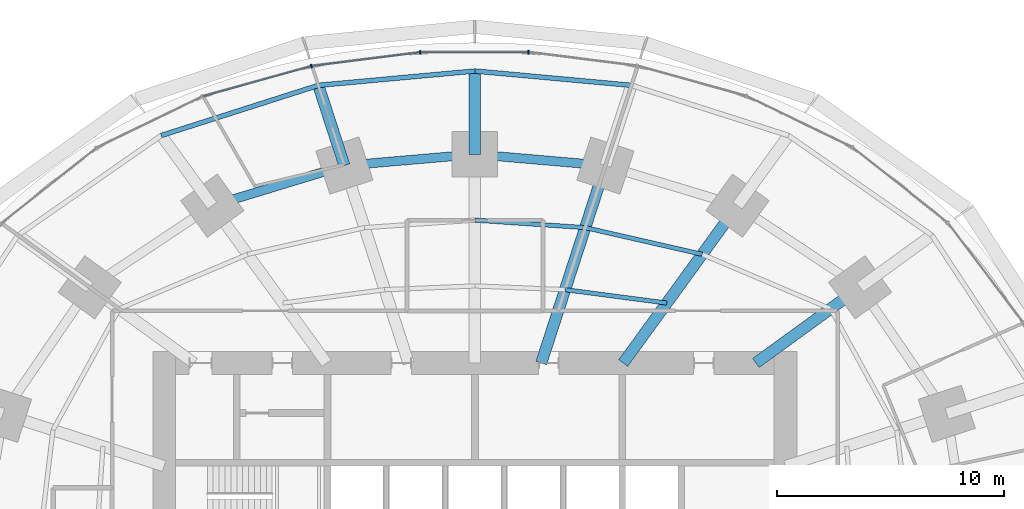
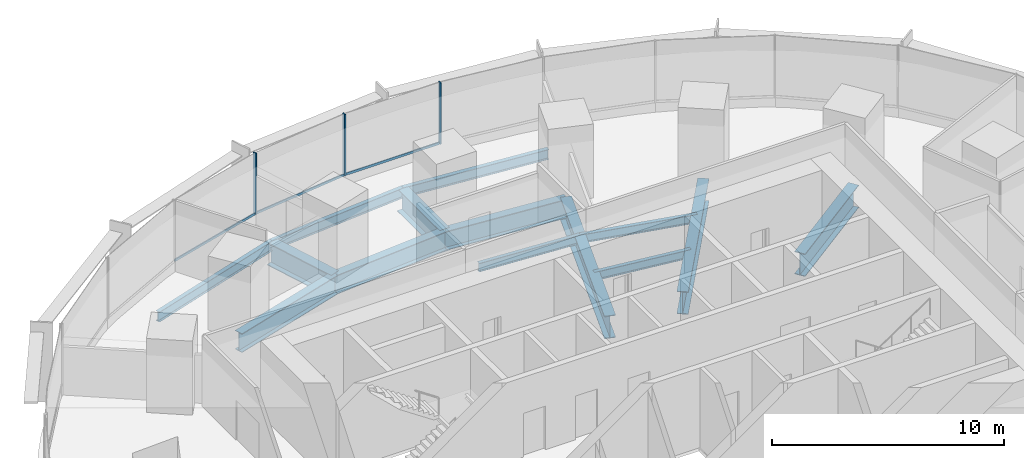
# One storey, part 8 of 15: 14 beams, 6 members, 1 element without a shape of its own.
"""IFC4 building model written with IfcOpenShell, lengths in metres."""

from ifc_helpers import new_model, si_unit, direction, frame, origin, origin_2d, place, context, subcontext, project, spatial, rectangle, i_section, extrude, material, material_profile, profile_set, type_object, element, aggregate, save


model = new_model("IFC4")

# Units and contexts
model_context = context("Model", 3, precision=1e-05, world=origin(), true_north=direction((0.0, 1.0)))
body_context = subcontext(model_context, "Body", "Model", "MODEL_VIEW")
ifc_project = project(units=[si_unit("LENGTHUNIT", "METRE"), si_unit("AREAUNIT", "SQUARE_METRE"), si_unit("VOLUMEUNIT", "CUBIC_METRE"), si_unit("PLANEANGLEUNIT", "RADIAN"), si_unit("MASSUNIT", "GRAM", prefix="KILO")], contexts=[model_context])

# Site, building, storey
site_placement = place(None, origin())
site = spatial("IfcSite", under=ifc_project, at=site_placement, CompositionType="ELEMENT")
building_placement = place(site_placement, origin())
building = spatial("IfcBuilding", under=site, at=building_placement, Name="Marramba Exchange Tower", CompositionType="ELEMENT")
storey_placement = place(building_placement, frame((0.0, 0.0, 65.800048828125)))
storey = spatial("IfcBuildingStorey", under=building, at=storey_placement, Name="L15", CompositionType="ELEMENT", Elevation=65.800048828125)

# Beams
ifc_material_1 = material(Name="Steel AS/NZS 3679.2 grade 300", Category="steel")
ifc_material_profile_1 = material_profile(ifc_material_1, i_section(OverallWidth=0.5, OverallDepth=1.199951171875, WebThickness=0.01611328125, FlangeThickness=0.0400390625, at=origin_2d()), Name="1200WB455")
ifc_profile_set_1 = profile_set([ifc_material_profile_1], Name="Steel AS/NZS 3679.2 grade 300")
beam_type_1 = type_object("IfcBeamType", Name="Cantilever girder 1200WB455", PredefinedType="BEAM", material=ifc_profile_set_1)
beam_1_placement = place(storey_placement, frame((0.0, 18.2041015625, -0.760009765625), z_axis=(0.0, 1.0, 0.0), x_axis=(-1.0, 0.0, 0.0)))
element("IfcBeam", 1, at=beam_1_placement, inside=storey, type_object=beam_type_1, Name="Cantilever girder L15 TC06", PredefinedType="BEAM", context=body_context, shape_type="SweptSolid", body=[
    extrude(i_section(OverallWidth=0.5, OverallDepth=1.199951171875, WebThickness=0.01611328125, FlangeThickness=0.0400390625, at=origin_2d()), origin(), (0.0, 0.0, 1.0), 3.673828125),
])
beam_2_placement = place(storey_placement, frame((-5.75390625, 17.70849609375, -0.760009765625), z_axis=(-0.308973290646, 0.951070715387, 0.0), x_axis=(-0.951070715387, -0.308973290646, 0.0)))
element("IfcBeam", 2, at=beam_2_placement, inside=storey, type_object=beam_type_1, Name="Cantilever girder L15 TC07", PredefinedType="BEAM", context=body_context, shape_type="SweptSolid", body=[
    extrude(i_section(OverallWidth=0.5, OverallDepth=1.199951171875, WebThickness=0.01611328125, FlangeThickness=0.0400390625, at=origin_2d()), origin(), (0.0, 0.0, 1.0), 3.72021484375),
])
ifc_material_2 = material(Name="Steel AS/NZS 3679.1 grade 300", Category="steel")
ifc_material_profile_2 = material_profile(ifc_material_2, i_section(OverallWidth=0.18994140625, OverallDepth=0.4541015625, WebThickness=0.008544921875, FlangeThickness=0.0126953125, FilletRadius=0.011474609375, at=origin_2d()), Name="460UB67.1")
ifc_profile_set_2 = profile_set([ifc_material_profile_2], Name="Steel AS/NZS 3679.1 grade 300")
beam_type_2 = type_object("IfcBeamType", Name="Floor joist 460UB67.1", PredefinedType="JOIST", material=ifc_profile_set_2)
beam_3_placement = place(storey_placement, frame((8.4619140625, 11.646728515625, -0.386962890625), z_axis=(-0.991480538255, 0.130254912618, 0.0), x_axis=(-0.130254912618, -0.991480538255, 0.0)))
element("IfcBeam", 3, at=beam_3_placement, inside=storey, type_object=beam_type_2, Name="Joist L15 bay 04 row 1", PredefinedType="JOIST", context=body_context, shape_type="SweptSolid", body=[
    extrude(i_section(OverallWidth=0.18994140625, OverallDepth=0.4541015625, WebThickness=0.008544921875, FlangeThickness=0.0126953125, FilletRadius=0.011474609375, at=origin_2d()), origin(), (0.0, 0.0, 1.0), 4.524658203125),
])
beam_4_placement = place(storey_placement, frame((10.021728515625, 13.793701171875, -0.386962890625), z_axis=(-0.974859652292, 0.222819788916, 0.0), x_axis=(-0.222819788916, -0.974859652292, 0.0)))
element("IfcBeam", 4, at=beam_4_placement, inside=storey, type_object=beam_type_2, Name="Joist L15 bay 04 row 2", PredefinedType="JOIST", context=body_context, shape_type="SweptSolid", body=[
    extrude(i_section(OverallWidth=0.18994140625, OverallDepth=0.4541015625, WebThickness=0.008544921875, FlangeThickness=0.0126953125, FilletRadius=0.011474609375, at=origin_2d()), origin(), (0.0, 0.0, 1.0), 5.2900390625),
])
beam_5_placement = place(storey_placement, frame((4.86474609375, 14.972412109375, -0.386962890625), z_axis=(-0.997702652202, 0.067745241816, 0.0), x_axis=(-0.067745241816, -0.997702652202, 0.0)))
element("IfcBeam", 5, at=beam_5_placement, inside=storey, type_object=beam_type_2, Name="Joist L15 bay 05 row 2", PredefinedType="JOIST", context=body_context, shape_type="SweptSolid", body=[
    extrude(i_section(OverallWidth=0.18994140625, OverallDepth=0.4541015625, WebThickness=0.008544921875, FlangeThickness=0.0126953125, FilletRadius=0.011474609375, at=origin_2d()), origin(), (0.0, 0.0, 1.0), 4.8759765625),
])
ifc_material_profile_3 = material_profile(ifc_material_1, i_section(OverallWidth=0.5, OverallDepth=1.199951171875, WebThickness=0.01611328125, FlangeThickness=0.0400390625, at=origin_2d()), Name="1200WB455")
ifc_profile_set_3 = profile_set([ifc_material_profile_3], Name="Steel AS/NZS 3679.2 grade 300")
beam_type_3 = type_object("IfcBeamType", Name="Radial girder 1200WB455", PredefinedType="BEAM", material=ifc_profile_set_3)
beam_6_placement = place(storey_placement, frame((12.387451171875, 9.0, -0.760009765625), z_axis=(0.809025746925, 0.587773205252, 0.0), x_axis=(-0.587773205252, 0.809025746925, 0.0)))
element("IfcBeam", 6, at=beam_6_placement, inside=storey, type_object=beam_type_3, Name="Radial girder L15 TC03", PredefinedType="BEAM", context=body_context, shape_type="SweptSolid", body=[
    extrude(i_section(OverallWidth=0.5, OverallDepth=1.199951171875, WebThickness=0.01611328125, FlangeThickness=0.0400390625, at=origin_2d()), origin(), (0.0, 0.0, 1.0), 5.683837890625),
])
beam_7_placement = place(storey_placement, frame((6.538818359375, 9.0, -0.760009765625), z_axis=(0.587782439969, 0.80901903764, 0.0), x_axis=(-0.80901903764, 0.587782439969, 0.0)))
element("IfcBeam", 7, at=beam_7_placement, inside=storey, type_object=beam_type_3, Name="Radial girder L15 TC04", PredefinedType="BEAM", context=body_context, shape_type="SweptSolid", body=[
    extrude(i_section(OverallWidth=0.5, OverallDepth=1.199951171875, WebThickness=0.01611328125, FlangeThickness=0.0400390625, at=origin_2d()), origin(), (0.0, 0.0, 1.0), 8.578857421875),
])
beam_8_placement = place(storey_placement, frame((2.92431640625, 9.0, -0.760009765625), z_axis=(0.309019754162, 0.951055619582, 0.0), x_axis=(-0.951055619582, 0.309019754162, 0.0)))
element("IfcBeam", 8, at=beam_8_placement, inside=storey, type_object=beam_type_3, Name="Radial girder L15 TC05", PredefinedType="BEAM", context=body_context, shape_type="SweptSolid", body=[
    extrude(i_section(OverallWidth=0.5, OverallDepth=1.199951171875, WebThickness=0.01611328125, FlangeThickness=0.0400390625, at=origin_2d()), origin(), (0.0, 0.0, 1.0), 9.15673828125),
])
ifc_material_profile_4 = material_profile(ifc_material_1, i_section(OverallWidth=0.39990234375, OverallDepth=1.0, WebThickness=0.01611328125, FlangeThickness=0.031982421875, at=origin_2d()), Name="1000WB322")
ifc_profile_set_4 = profile_set([ifc_material_profile_4], Name="Steel AS/NZS 3679.2 grade 300")
beam_type_4 = type_object("IfcBeamType", Name="Ring beam 1000WB322", PredefinedType="SPANDREL", material=ifc_profile_set_4)
for number, where, z_axis, x_axis, name in (
    (9, (5.75390625, 17.70849609375, -0.66015625), (-0.996311003275, 0.085815993578, 0.0), (-0.085815993578, -0.996311003275, 0.0), "Ring beam L15 TC05-TC06"),
    (10, (0.0, 18.2041015625, -0.66015625), (-0.996311003275, -0.085815993578, 0.0), (0.085815993578, -0.996311003275, 0.0), "Ring beam L15 TC06-TC07"),
):
    element("IfcBeam", number, at=place(storey_placement, frame(where, z_axis=z_axis, x_axis=x_axis)), inside=storey, type_object=beam_type_4, Name=name, PredefinedType="SPANDREL", context=body_context, shape_type="SweptSolid", body=[
        extrude(i_section(OverallWidth=0.39990234375, OverallDepth=1.0, WebThickness=0.01611328125, FlangeThickness=0.031982421875, at=origin_2d()), origin(), (0.0, 0.0, 1.0), 5.775146484375),
    ])
beam_9_placement = place(storey_placement, frame((-5.75390625, 17.70849609375, -0.66015625), z_axis=(-0.956924542524, -0.290336735387, 0.0), x_axis=(0.290336735387, -0.956924542524, 0.0)))
element("IfcBeam", 11, at=beam_9_placement, inside=storey, type_object=beam_type_4, Name="Ring beam L15 TC07-TC08", PredefinedType="SPANDREL", context=body_context, shape_type="SweptSolid", body=[
    extrude(i_section(OverallWidth=0.39990234375, OverallDepth=1.0, WebThickness=0.01611328125, FlangeThickness=0.031982421875, at=origin_2d()), origin(), (0.0, 0.0, 1.0), 6.089599609375),
])
ifc_material_profile_5 = material_profile(ifc_material_2, i_section(OverallWidth=0.208984375, OverallDepth=0.528076171875, WebThickness=0.009521484375, FlangeThickness=0.01318359375, FilletRadius=0.013916015625, at=origin_2d()), Name="530UB82.0")
ifc_profile_set_5 = profile_set([ifc_material_profile_5], Name="Steel AS/NZS 3679.1 grade 300")
beam_type_5 = type_object("IfcBeamType", Name="Slab edge beam 530UB82.0", PredefinedType="SPANDREL", material=ifc_profile_set_5)
for number, where, z_axis, x_axis, name in (
    (12, (6.9033203125, 21.24658203125, -0.424072265625), (-0.995843984921, 0.091075560369, 0.0), (-0.091075560369, -0.995843984921, 0.0), "Slab edge beam L15 TC05-TC06"),
    (13, (0.0, 21.8779296875, -0.424072265625), (-0.995843984921, -0.091075560369, 0.0), (0.091075560369, -0.995843984921, 0.0), "Slab edge beam L15 TC06-TC07"),
):
    element("IfcBeam", number, at=place(storey_placement, frame(where, z_axis=z_axis, x_axis=x_axis)), inside=storey, type_object=beam_type_5, Name=name, PredefinedType="SPANDREL", context=body_context, shape_type="SweptSolid", body=[
        extrude(i_section(OverallWidth=0.208984375, OverallDepth=0.528076171875, WebThickness=0.009521484375, FlangeThickness=0.01318359375, FilletRadius=0.013916015625, at=origin_2d()), origin(), (0.0, 0.0, 1.0), 6.93212890625),
    ])
beam_10_placement = place(storey_placement, frame((-6.9033203125, 21.24658203125, -0.424072265625), z_axis=(-0.952577642997, -0.304295635957, 0.0), x_axis=(0.304295635957, -0.952577642997, 0.0)))
element("IfcBeam", 14, at=beam_10_placement, inside=storey, type_object=beam_type_5, Name="Slab edge beam L15 TC07-TC08", PredefinedType="SPANDREL", context=body_context, shape_type="SweptSolid", body=[
    extrude(i_section(OverallWidth=0.208984375, OverallDepth=0.528076171875, WebThickness=0.009521484375, FlangeThickness=0.01318359375, FilletRadius=0.013916015625, at=origin_2d()), origin(), (0.0, 0.0, 1.0), 7.2705078125),
])

# Curtain wall, members
ifc_material_3 = material(Name="Aluminium framing, bronze anodised", Category="aluminium")
curtain_wall_type = type_object("IfcCurtainWallType", Name="Trading floor ribbon curtain wall", PredefinedType="USERDEFINED", material=ifc_material_3)
curtain_wall_placement = place(storey_placement, origin())
curtain_wall = element("IfcCurtainWall", 15, at=curtain_wall_placement, inside=storey, type_object=curtain_wall_type, Name="Curtain wall CW3 L15 F06-F10", ObjectType="RIBBON CURTAIN WALL", PredefinedType="USERDEFINED")
ifc_material_4 = material(Name="Aluminium mullion, bronze anodised", Category="aluminium")
ifc_material_profile_6 = material_profile(ifc_material_4, rectangle(XDim=0.159912109375, YDim=0.06005859375, at=origin_2d()), Name="CW3 mullion 60x160")
ifc_profile_set_6 = profile_set([ifc_material_profile_6], Name="Aluminium mullion, bronze anodised")
member_type_1 = type_object("IfcMemberType", Name="Trading floor ribbon curtain wall mullion", PredefinedType="MULLION", material=ifc_profile_set_6)
member_1_placement = place(storey_placement, frame((2.3564453125, 22.7060546875, 0.800048828125), z_axis=(0.0, 0.0, 1.0), x_axis=(0.0, -1.0, 0.0)))
member_1 = element("IfcMember", 16, at=member_1_placement, type_object=member_type_1, Name="CW3 mullion 1", PredefinedType="MULLION", context=body_context, shape_type="SweptSolid", body=[
    extrude(rectangle(XDim=0.159912109375, YDim=0.06005859375, at=origin_2d()), origin(), (0.0, 0.0, 1.0), 3.239990234375),
])
member_2_placement = place(storey_placement, frame((-2.416259765625, 22.7021484375, 0.800048828125), z_axis=(0.0, 0.0, 1.0), x_axis=(0.124872723099, -0.992172768738, 0.0)))
member_2 = element("IfcMember", 17, at=member_2_placement, type_object=member_type_1, Name="CW3 mullion 1", PredefinedType="MULLION", context=body_context, shape_type="SweptSolid", body=[
    extrude(rectangle(XDim=0.159912109375, YDim=0.06005859375, at=origin_2d()), origin(), (0.0, 0.0, 1.0), 3.239990234375),
])
member_3_placement = place(storey_placement, frame((-7.21044921875, 22.094482421875, 0.800048828125), z_axis=(0.0, 0.0, 1.0), x_axis=(0.267808735815, -0.963472096649, 0.0)))
member_3 = element("IfcMember", 18, at=member_3_placement, type_object=member_type_1, Name="CW3 mullion 1", PredefinedType="MULLION", context=body_context, shape_type="SweptSolid", body=[
    extrude(rectangle(XDim=0.159912109375, YDim=0.06005859375, at=origin_2d()), origin(), (0.0, 0.0, 1.0), 3.239990234375),
])
ifc_material_5 = material(Name="Aluminium transom, bronze anodised", Category="aluminium")
ifc_material_profile_7 = material_profile(ifc_material_5, rectangle(XDim=0.06005859375, YDim=0.1201171875, at=origin_2d()), Name="CW3 transom 60x120")
ifc_profile_set_7 = profile_set([ifc_material_profile_7], Name="Aluminium transom, bronze anodised")
member_type_2 = type_object("IfcMemberType", Name="Trading floor ribbon curtain wall transom", PredefinedType="USERDEFINED", material=ifc_profile_set_7)
member_4_placement = place(storey_placement, frame((2.326416015625, 22.7060546875, 0.829833984375), z_axis=(-1.0, 0.0, 0.0), x_axis=(0.0, -1.0, 0.0)))
member_4 = element("IfcMember", 19, at=member_4_placement, type_object=member_type_2, Name="CW3 sill transom", ObjectType="TRANSOM", PredefinedType="USERDEFINED", context=body_context, shape_type="SweptSolid", body=[
    extrude(rectangle(XDim=0.06005859375, YDim=0.1201171875, at=origin_2d()), origin(), (0.0, 0.0, 1.0), 4.712890625),
])
member_5_placement = place(storey_placement, frame((-2.446044921875, 22.698486328125, 0.829833984375), z_axis=(-0.992174445211, -0.124859402009, 0.0), x_axis=(0.124859402009, -0.992174445211, 0.0)))
member_5 = element("IfcMember", 20, at=member_5_placement, type_object=member_type_2, Name="CW3 sill transom", ObjectType="TRANSOM", PredefinedType="USERDEFINED", context=body_context, shape_type="SweptSolid", body=[
    extrude(rectangle(XDim=0.06005859375, YDim=0.1201171875, at=origin_2d()), origin(), (0.0, 0.0, 1.0), 4.77294921875),
])
member_6_placement = place(storey_placement, frame((-7.2392578125, 22.08642578125, 0.829833984375), z_axis=(-0.963472490071, -0.267807320431, 0.0), x_axis=(0.267807320431, -0.963472490071, 0.0)))
member_6 = element("IfcMember", 21, at=member_6_placement, type_object=member_type_2, Name="CW3 sill transom", ObjectType="TRANSOM", PredefinedType="USERDEFINED", context=body_context, shape_type="SweptSolid", body=[
    extrude(rectangle(XDim=0.06005859375, YDim=0.1201171875, at=origin_2d()), origin(), (0.0, 0.0, 1.0), 4.93017578125),
])
aggregate(curtain_wall, [member_1, member_4, member_2, member_5, member_3, member_6])

save(model, "model.ifc")
